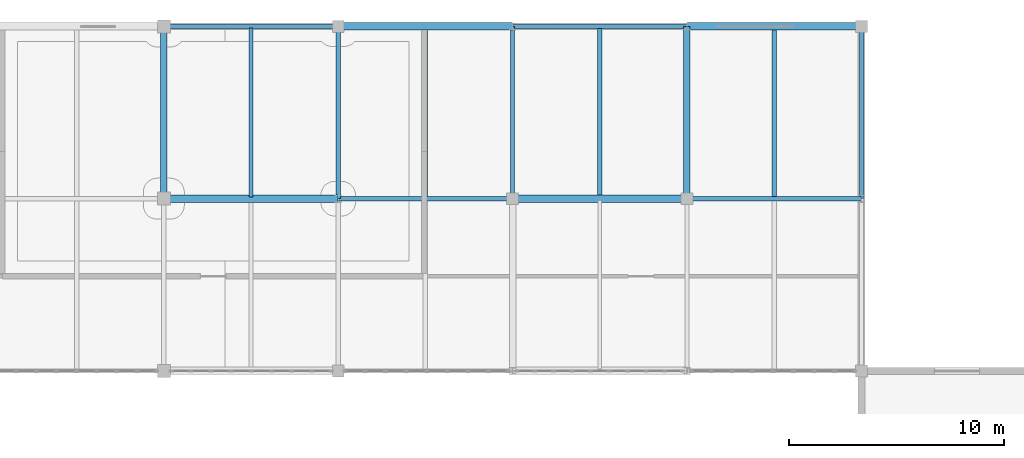
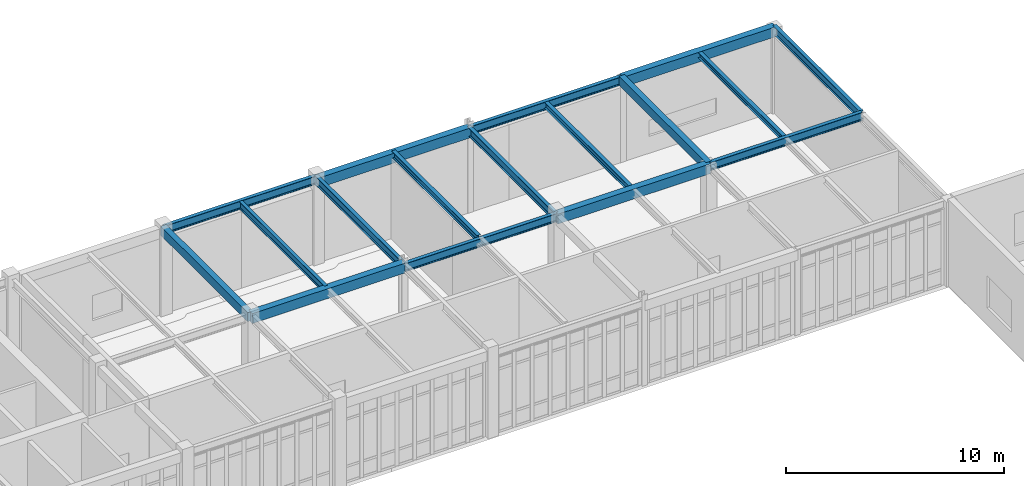
# One storey, part 26 of 70: 17 beams.
"""IFC4 building model written with IfcOpenShell, lengths in metres."""

from ifc_helpers import new_model, si_unit, direction, frame, origin, origin_2d, place, context, subcontext, project, spatial, rectangle, i_section, extrude, material, material_profile, profile_set, type_object, element, save


model = new_model("IFC4")

# Units and contexts
model_context = context("Model", 3, precision=1e-05, world=origin(), true_north=direction((0.0, 1.0)))
body_context = subcontext(model_context, "Body", "Model", "MODEL_VIEW")
ifc_project = project(units=[si_unit("LENGTHUNIT", "METRE"), si_unit("AREAUNIT", "SQUARE_METRE"), si_unit("VOLUMEUNIT", "CUBIC_METRE"), si_unit("PLANEANGLEUNIT", "RADIAN"), si_unit("MASSUNIT", "GRAM", prefix="KILO")], contexts=[model_context])

# Site, building, storey
site_placement = place(None, origin())
site = spatial("IfcSite", under=ifc_project, at=site_placement, CompositionType="ELEMENT")
building_placement = place(site_placement, origin())
building = spatial("IfcBuilding", under=site, at=building_placement, Name="Tarnveldt Square Police Headquarters", CompositionType="ELEMENT")
storey_placement = place(building_placement, frame((0.0, 0.0, 19.800048828125)))
storey = spatial("IfcBuildingStorey", under=building, at=storey_placement, Name="L04", CompositionType="ELEMENT", Elevation=19.800048828125)

# Beams
ifc_material_1 = material(Name="Concrete 40 MPa", Category="concrete")
ifc_material_profile_1 = material_profile(ifc_material_1, rectangle(XDim=0.300048828125, YDim=0.5, at=origin_2d()), Name="RC-B300x500")
ifc_profile_set_1 = profile_set([ifc_material_profile_1], Name="Concrete 40 MPa")
beam_type_1 = type_object("IfcBeamType", Name="BM-RC300x500", PredefinedType="BEAM", material=ifc_profile_set_1)
for number, where, z_axis, x_axis, name in (
    (1, (72.89990234375, 104.0, 4.60986328125), (0.0, 1.0, 0.0), (-1.0, 0.0, 0.0), "L05 Grid Girder Y-1000"),
    (2, (97.199951171875, 104.0, 4.510009765625), (0.0, 1.0, 0.0), (-1.0, 0.0, 0.0), "L05 Grid Girder Y-1006"),
):
    element("IfcBeam", number, at=place(storey_placement, frame(where, z_axis=z_axis, x_axis=x_axis)), inside=storey, type_object=beam_type_1, Name=name, PredefinedType="BEAM", context=body_context, shape_type="SweptSolid", body=[
        extrude(rectangle(XDim=0.300048828125, YDim=0.5, at=origin_2d()), origin(), (0.0, 0.0, 1.0), 8.0),
    ])
ifc_material_profile_2 = material_profile(ifc_material_1, rectangle(XDim=0.35009765625, YDim=0.550048828125, at=origin_2d()), Name="RC-B350x550")
ifc_profile_set_2 = profile_set([ifc_material_profile_2], Name="Concrete 40 MPa")
beam_type_2 = type_object("IfcBeamType", Name="BM-RC350x550", PredefinedType="BEAM", material=ifc_profile_set_2)
beam_1_placement = place(storey_placement, frame((72.89990234375, 104.0, 4.5849609375), z_axis=(1.0, 0.0, 0.0), x_axis=(0.0, 1.0, 0.0)))
element("IfcBeam", 3, at=beam_1_placement, inside=storey, type_object=beam_type_2, Name="L05 Grid Girder X-0950", PredefinedType="BEAM", context=body_context, shape_type="SweptSolid", body=[
    extrude(rectangle(XDim=0.35009765625, YDim=0.550048828125, at=origin_2d()), origin(), (0.0, 0.0, 1.0), 8.10009765625),
])
beam_2_placement = place(storey_placement, frame((89.10009765625, 104.0, 4.48486328125), z_axis=(1.0, 0.0, 0.0), x_axis=(0.0, 1.0, 0.0)))
element("IfcBeam", 4, at=beam_2_placement, inside=storey, type_object=beam_type_2, Name="L05 Grid Girder X-0952", PredefinedType="BEAM", context=body_context, shape_type="SweptSolid", body=[
    extrude(rectangle(XDim=0.35009765625, YDim=0.550048828125, at=origin_2d()), origin(), (0.0, 0.0, 1.0), 8.099853515625),
])
for number, where, z_axis, x_axis, name in (
    (5, (81.0, 112.0, 4.48486328125), (1.0, 0.0, 0.0), (0.0, 1.0, 0.0), "L05 Grid Girder X-0962"),
    (6, (97.199951171875, 112.0, 4.48486328125), (1.0, 0.0, 0.0), (0.0, 1.0, 0.0), "L05 Grid Girder X-0964"),
):
    element("IfcBeam", number, at=place(storey_placement, frame(where, z_axis=z_axis, x_axis=x_axis)), inside=storey, type_object=beam_type_2, Name=name, PredefinedType="BEAM", context=body_context, shape_type="SweptSolid", body=[
        extrude(rectangle(XDim=0.35009765625, YDim=0.550048828125, at=origin_2d()), origin(), (0.0, 0.0, 1.0), 8.10009765625),
    ])
ifc_material_2 = material(Name="Steel 350W", Category="steel")
ifc_material_profile_3 = material_profile(ifc_material_2, i_section(OverallWidth=0.202880859375, OverallDepth=0.302978515625, WebThickness=0.007568359375, FlangeThickness=0.01318359375, FilletRadius=0.014892578125, at=origin_2d()), Name="W310x60")
ifc_profile_set_3 = profile_set([ifc_material_profile_3], Name="Steel 350W")
beam_type_3 = type_object("IfcBeamType", Name="BM-W310x60", PredefinedType="JOIST", material=ifc_profile_set_3)
beam_3_placement = place(storey_placement, frame((101.25, 104.080078125, 4.6083984375), z_axis=(0.0, 1.0, 0.0), x_axis=(-1.0, 0.0, 0.0)))
element("IfcBeam", 7, at=beam_3_placement, inside=storey, type_object=beam_type_3, Name="L05 Secondary Floor Joist 0236", PredefinedType="JOIST", context=body_context, shape_type="SweptSolid", body=[
    extrude(i_section(OverallWidth=0.202880859375, OverallDepth=0.302978515625, WebThickness=0.007568359375, FlangeThickness=0.01318359375, FilletRadius=0.014892578125, at=origin_2d()), origin(), (0.0, 0.0, 1.0), 7.83984375),
])
ifc_material_profile_4 = material_profile(ifc_material_2, i_section(OverallWidth=0.202880859375, OverallDepth=0.346923828125, WebThickness=0.0078125, FlangeThickness=0.013427734375, FilletRadius=0.01611328125, at=origin_2d()), Name="W360x64")
ifc_profile_set_4 = profile_set([ifc_material_profile_4], Name="Steel 350W")
beam_type_4 = type_object("IfcBeamType", Name="BM-W360x64", PredefinedType="JOIST", material=ifc_profile_set_4)
beam_4_placement = place(storey_placement, frame((93.14990234375, 104.080078125, 4.58642578125), z_axis=(0.0, 1.0, 0.0), x_axis=(-1.0, 0.0, 0.0)))
element("IfcBeam", 8, at=beam_4_placement, inside=storey, type_object=beam_type_4, Name="L05 Secondary Floor Joist 0235", PredefinedType="JOIST", context=body_context, shape_type="SweptSolid", body=[
    extrude(i_section(OverallWidth=0.202880859375, OverallDepth=0.346923828125, WebThickness=0.0078125, FlangeThickness=0.013427734375, FilletRadius=0.01611328125, at=origin_2d()), origin(), (0.0, 0.0, 1.0), 7.83984375),
])
ifc_material_profile_5 = material_profile(ifc_material_2, i_section(OverallWidth=0.205078125, OverallDepth=0.35400390625, WebThickness=0.009521484375, FlangeThickness=0.016845703125, FilletRadius=0.01611328125, at=origin_2d()), Name="W360x79")
ifc_profile_set_5 = profile_set([ifc_material_profile_5], Name="Steel 350W")
beam_type_5 = type_object("IfcBeamType", Name="BM-W360x79", PredefinedType="JOIST", material=ifc_profile_set_5)
beam_5_placement = place(storey_placement, frame((85.050048828125, 104.080078125, 4.682861328125), z_axis=(0.0, 1.0, 0.0), x_axis=(-1.0, 0.0, 0.0)))
element("IfcBeam", 9, at=beam_5_placement, inside=storey, type_object=beam_type_5, Name="L05 Secondary Floor Joist 0234", PredefinedType="JOIST", context=body_context, shape_type="SweptSolid", body=[
    extrude(i_section(OverallWidth=0.205078125, OverallDepth=0.35400390625, WebThickness=0.009521484375, FlangeThickness=0.016845703125, FilletRadius=0.01611328125, at=origin_2d()), origin(), (0.0, 0.0, 1.0), 7.83984375),
])
ifc_material_profile_6 = material_profile(ifc_material_2, i_section(OverallWidth=0.177978515625, OverallDepth=0.406982421875, WebThickness=0.0078125, FlangeThickness=0.0126953125, FilletRadius=0.01611328125, at=origin_2d()), Name="W410x60")
ifc_profile_set_6 = profile_set([ifc_material_profile_6], Name="Steel 350W")
beam_type_6 = type_object("IfcBeamType", Name="BM-W410x60", PredefinedType="JOIST", material=ifc_profile_set_6)
beam_6_placement = place(storey_placement, frame((76.949951171875, 104.080078125, 4.656494140625), z_axis=(0.0, 1.0, 0.0), x_axis=(-1.0, 0.0, 0.0)))
element("IfcBeam", 10, at=beam_6_placement, inside=storey, type_object=beam_type_6, Name="L05 Secondary Floor Joist 0233", PredefinedType="JOIST", context=body_context, shape_type="SweptSolid", body=[
    extrude(i_section(OverallWidth=0.177978515625, OverallDepth=0.406982421875, WebThickness=0.0078125, FlangeThickness=0.0126953125, FilletRadius=0.01611328125, at=origin_2d()), origin(), (0.0, 0.0, 1.0), 7.83984375),
])
ifc_material_profile_7 = material_profile(ifc_material_2, i_section(OverallWidth=0.19189453125, OverallDepth=0.462890625, WebThickness=0.010498046875, FlangeThickness=0.017578125, FilletRadius=0.01806640625, at=origin_2d()), Name="W460x89")
ifc_profile_set_7 = profile_set([ifc_material_profile_7], Name="Steel 350W")
beam_type_7 = type_object("IfcBeamType", Name="BM-W460x89", PredefinedType="BEAM", material=ifc_profile_set_7)
for number, where, z_axis, x_axis, name in (
    (11, (81.0, 104.0, 4.528564453125), (1.0, 0.0, 0.0), (0.0, 1.0, 0.0), "L05 Grid Girder X-0951"),
    (12, (97.199951171875, 104.0, 4.528564453125), (1.0, 0.0, 0.0), (0.0, 1.0, 0.0), "L05 Grid Girder X-0953"),
    (13, (72.89990234375, 112.0, 4.62841796875), (1.0, 0.0, 0.0), (0.0, 1.0, 0.0), "L05 Grid Girder X-0961"),
):
    element("IfcBeam", number, at=place(storey_placement, frame(where, z_axis=z_axis, x_axis=x_axis)), inside=storey, type_object=beam_type_7, Name=name, PredefinedType="BEAM", context=body_context, shape_type="SweptSolid", body=[
        extrude(i_section(OverallWidth=0.19189453125, OverallDepth=0.462890625, WebThickness=0.010498046875, FlangeThickness=0.017578125, FilletRadius=0.01806640625, at=origin_2d()), origin(), (0.0, 0.0, 1.0), 8.10009765625),
    ])
beam_7_placement = place(storey_placement, frame((89.10009765625, 112.0, 4.528564453125), z_axis=(1.0, 0.0, 0.0), x_axis=(0.0, 1.0, 0.0)))
element("IfcBeam", 14, at=beam_7_placement, inside=storey, type_object=beam_type_7, Name="L05 Grid Girder X-0963", PredefinedType="BEAM", context=body_context, shape_type="SweptSolid", body=[
    extrude(i_section(OverallWidth=0.19189453125, OverallDepth=0.462890625, WebThickness=0.010498046875, FlangeThickness=0.017578125, FilletRadius=0.01806640625, at=origin_2d()), origin(), (0.0, 0.0, 1.0), 8.099853515625),
])
for number, where, z_axis, x_axis, name in (
    (15, (81.0, 104.0, 4.62841796875), (0.0, 1.0, 0.0), (-1.0, 0.0, 0.0), "L05 Grid Girder Y-1002"),
    (16, (89.10009765625, 104.0, 4.528564453125), (0.0, 1.0, 0.0), (-1.0, 0.0, 0.0), "L05 Grid Girder Y-1004"),
    (17, (105.300048828125, 104.0, 4.528564453125), (0.0, 1.0, 0.0), (-1.0, 0.0, 0.0), "L05 Grid Girder Y-1008"),
):
    element("IfcBeam", number, at=place(storey_placement, frame(where, z_axis=z_axis, x_axis=x_axis)), inside=storey, type_object=beam_type_7, Name=name, PredefinedType="BEAM", context=body_context, shape_type="SweptSolid", body=[
        extrude(i_section(OverallWidth=0.19189453125, OverallDepth=0.462890625, WebThickness=0.010498046875, FlangeThickness=0.017578125, FilletRadius=0.01806640625, at=origin_2d()), origin(), (0.0, 0.0, 1.0), 8.0),
    ])

save(model, "model.ifc")
